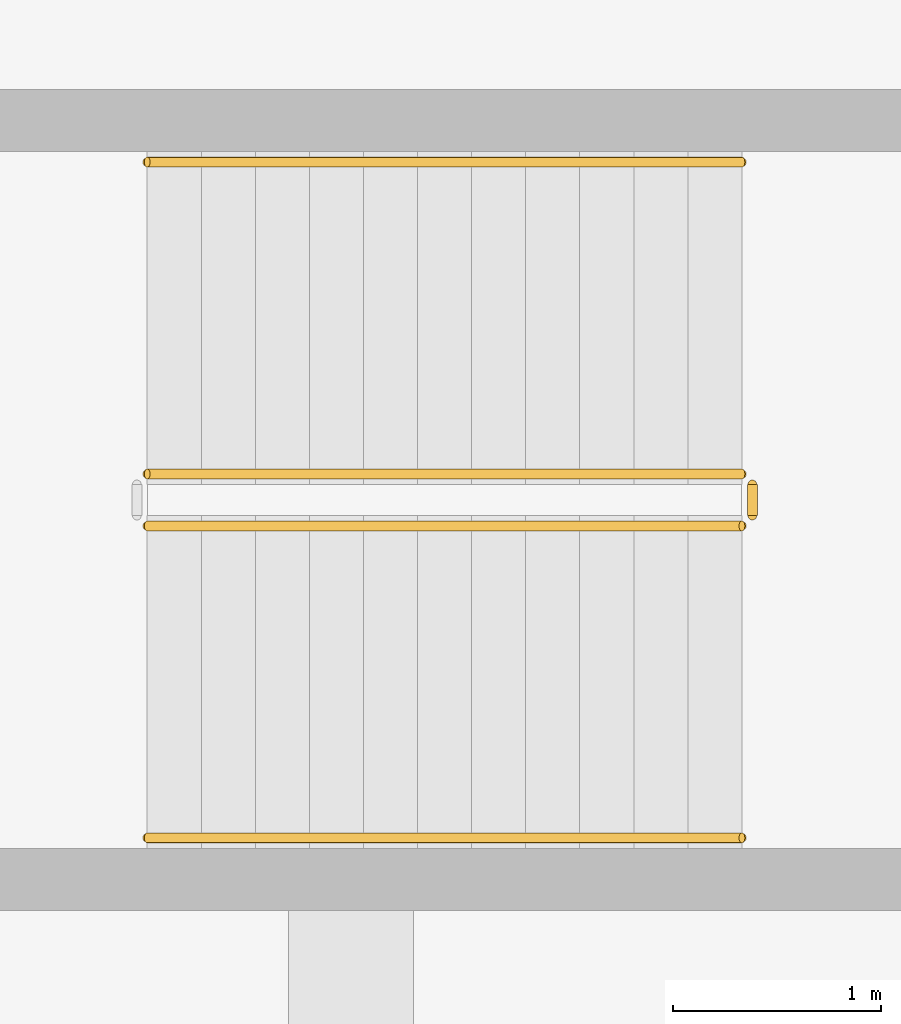
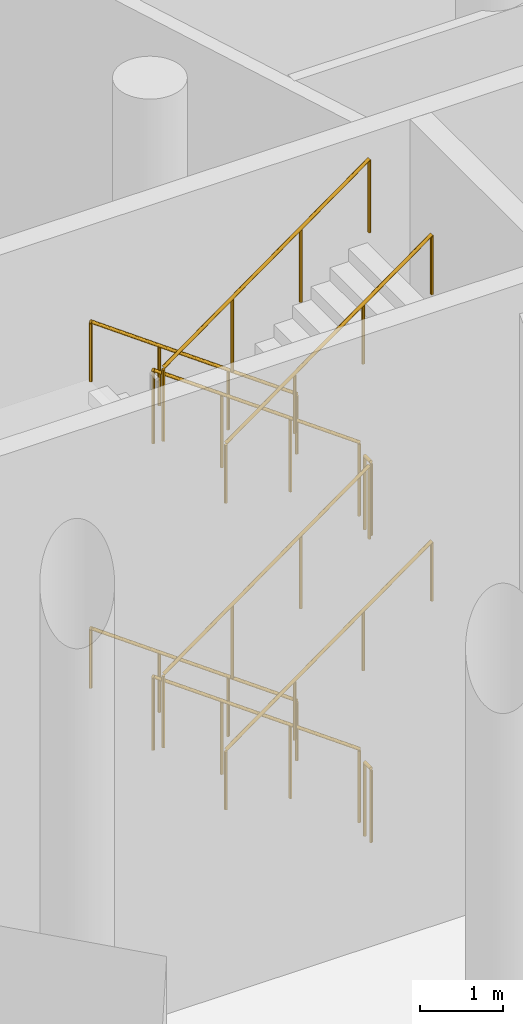
# One storey, part 22 of 25: 10 railings.
"""IFC4 building model written with IfcOpenShell, lengths in metres."""

from ifc_helpers import new_model, si_unit, direction, frame, origin, origin_2d, place, context, subcontext, project, spatial, circle, extrude, material, type_object, element, save


model = new_model("IFC4")

# Units and contexts
model_context = context("Model", 3, precision=1e-05, world=origin(), true_north=direction((0.0, 1.0)))
body_context = subcontext(model_context, "Body", "Model", "MODEL_VIEW")
ifc_project = project(units=[si_unit("LENGTHUNIT", "METRE"), si_unit("AREAUNIT", "SQUARE_METRE"), si_unit("VOLUMEUNIT", "CUBIC_METRE"), si_unit("PLANEANGLEUNIT", "RADIAN"), si_unit("MASSUNIT", "GRAM", prefix="KILO")], contexts=[model_context])

# Site, building, storey
site_placement = place(None, origin())
site = spatial("IfcSite", under=ifc_project, at=site_placement, CompositionType="ELEMENT")
building_placement = place(site_placement, origin())
building = spatial("IfcBuilding", under=site, at=building_placement, Name="White Candle Pilgrim Tower", CompositionType="ELEMENT")
storey_placement = place(building_placement, origin())
storey = spatial("IfcBuildingStorey", under=building, at=storey_placement, Name="L00", CompositionType="ELEMENT", Elevation=0.0)

# Railings
ifc_material = material(Name="Stainless steel", Category="steel")
railing_type_1 = type_object("IfcRailingType", Name="Stair guard stainless steel 1100 mm", PredefinedType="GUARDRAIL", material=ifc_material)
railing_1_placement = place(storey_placement, frame((99.699951171875, 60.10009765625, 0.1875)))
element("IfcRailing", 1, at=railing_1_placement, inside=storey, type_object=railing_type_1, Name="L00 ST9 stair guard 1", PredefinedType="GUARDRAIL", context=body_context, shape_type="SweptSolid", body=[
    extrude(circle(Radius=0.02392578125, at=origin_2d()), frame((0.0, 0.0, 1.076171875), z_axis=(-0.811077065594, 0.0, 0.584939307678), x_axis=(0.0, -1.0, 0.0)), (0.0, 0.0, 1.0), 3.526123046875),
    extrude(circle(Radius=0.02099609375, at=origin_2d()), origin(), (0.0, 0.0, 1.0), 1.052001953125),
    extrude(circle(Radius=0.02099609375, at=origin_2d()), frame((-0.953369140625, 0.0, 0.6875)), (0.0, 0.0, 1.0), 1.052001953125),
    extrude(circle(Radius=0.02099609375, at=origin_2d()), frame((-1.906494140625, 0.0, 1.375)), (0.0, 0.0, 1.0), 1.052001953125),
    extrude(circle(Radius=0.02099609375, at=origin_2d()), frame((-2.85986328125, 0.0, 2.0625)), (0.0, 0.0, 1.0), 1.052001953125),
])
railing_2_placement = place(storey_placement, frame((96.840087890625, 59.85009765625, 2.4375)))
element("IfcRailing", 2, at=railing_2_placement, inside=storey, type_object=railing_type_1, Name="L00 ST9 stair guard 3", PredefinedType="GUARDRAIL", context=body_context, shape_type="SweptSolid", body=[
    extrude(circle(Radius=0.02392578125, at=origin_2d()), frame((0.0, 0.0, 1.076171875), z_axis=(0.811077065594, 0.0, 0.584939307678), x_axis=(0.0, 1.0, 0.0)), (0.0, 0.0, 1.0), 3.526123046875),
    extrude(circle(Radius=0.02099609375, at=origin_2d()), origin(), (0.0, 0.0, 1.0), 1.052001953125),
    extrude(circle(Radius=0.02099609375, at=origin_2d()), frame((0.953369140625, 0.0, 0.6875)), (0.0, 0.0, 1.0), 1.052001953125),
    extrude(circle(Radius=0.02099609375, at=origin_2d()), frame((1.906494140625, 0.0, 1.375)), (0.0, 0.0, 1.0), 1.052001953125),
    extrude(circle(Radius=0.02099609375, at=origin_2d()), frame((2.85986328125, 0.0, 2.0625)), (0.0, 0.0, 1.0), 1.052001953125),
])
railing_3_placement = place(storey_placement, frame((99.75, 60.050048828125, 4.5)))
element("IfcRailing", 3, at=railing_3_placement, inside=storey, type_object=railing_type_1, Name="L00 ST9 stair guard 4", PredefinedType="GUARDRAIL", context=body_context, shape_type="SweptSolid", body=[
    extrude(circle(Radius=0.02392578125, at=origin_2d()), frame((0.0, 0.0, 1.076171875), z_axis=(0.0, -1.0, 0.0), x_axis=(1.0, 0.0, 0.0)), (0.0, 0.0, 1.0), 0.150146484375),
    extrude(circle(Radius=0.02099609375, at=origin_2d()), origin(), (0.0, 0.0, 1.0), 1.052001953125),
    extrude(circle(Radius=0.02099609375, at=origin_2d()), frame((0.0, -0.150146484375, 0.0)), (0.0, 0.0, 1.0), 1.052001953125),
])
railing_4_placement = place(storey_placement, frame((99.699951171875, 60.10009765625, 4.6875)))
element("IfcRailing", 4, at=railing_4_placement, inside=storey, type_object=railing_type_1, Name="L00 ST9 stair guard 5", PredefinedType="GUARDRAIL", context=body_context, shape_type="SweptSolid", body=[
    extrude(circle(Radius=0.02392578125, at=origin_2d()), frame((0.0, 0.0, 1.076171875), z_axis=(-0.811077065594, 0.0, 0.584939307678), x_axis=(0.0, -1.0, 0.0)), (0.0, 0.0, 1.0), 3.526123046875),
    extrude(circle(Radius=0.02099609375, at=origin_2d()), origin(), (0.0, 0.0, 1.0), 1.052001953125),
    extrude(circle(Radius=0.02099609375, at=origin_2d()), frame((-0.953369140625, 0.0, 0.6875)), (0.0, 0.0, 1.0), 1.052001953125),
    extrude(circle(Radius=0.02099609375, at=origin_2d()), frame((-1.906494140625, 0.0, 1.375)), (0.0, 0.0, 1.0), 1.052001953125),
    extrude(circle(Radius=0.02099609375, at=origin_2d()), frame((-2.85986328125, 0.0, 2.0625)), (0.0, 0.0, 1.0), 1.052001953125),
])
railing_5_placement = place(storey_placement, frame((96.840087890625, 59.85009765625, 6.9375)))
element("IfcRailing", 5, at=railing_5_placement, inside=storey, type_object=railing_type_1, Name="L00 ST9 stair guard 7", PredefinedType="GUARDRAIL", context=body_context, shape_type="SweptSolid", body=[
    extrude(circle(Radius=0.02392578125, at=origin_2d()), frame((0.0, 0.0, 1.076171875), z_axis=(0.811077065594, 0.0, 0.584939307678), x_axis=(0.0, 1.0, 0.0)), (0.0, 0.0, 1.0), 3.526123046875),
    extrude(circle(Radius=0.02099609375, at=origin_2d()), origin(), (0.0, 0.0, 1.0), 1.052001953125),
    extrude(circle(Radius=0.02099609375, at=origin_2d()), frame((0.953369140625, 0.0, 0.6875)), (0.0, 0.0, 1.0), 1.052001953125),
    extrude(circle(Radius=0.02099609375, at=origin_2d()), frame((1.906494140625, 0.0, 1.375)), (0.0, 0.0, 1.0), 1.052001953125),
    extrude(circle(Radius=0.02099609375, at=origin_2d()), frame((2.85986328125, 0.0, 2.0625)), (0.0, 0.0, 1.0), 1.052001953125),
])
railing_6_placement = place(storey_placement, frame((99.75, 60.050048828125, 0.0)))
element("IfcRailing", 6, at=railing_6_placement, inside=storey, type_object=railing_type_1, Name="L00 ST9 stair guard 8", PredefinedType="GUARDRAIL", context=body_context, shape_type="SweptSolid", body=[
    extrude(circle(Radius=0.02392578125, at=origin_2d()), frame((0.0, 0.0, 1.076171875), z_axis=(0.0, -1.0, 0.0), x_axis=(1.0, 0.0, 0.0)), (0.0, 0.0, 1.0), 0.150146484375),
    extrude(circle(Radius=0.02099609375, at=origin_2d()), origin(), (0.0, 0.0, 1.0), 1.052001953125),
    extrude(circle(Radius=0.02099609375, at=origin_2d()), frame((0.0, -0.150146484375, 0.0)), (0.0, 0.0, 1.0), 1.052001953125),
])
railing_type_2 = type_object("IfcRailingType", Name="Stair handrail stainless steel", PredefinedType="HANDRAIL", material=ifc_material)
railing_7_placement = place(storey_placement, frame((99.699951171875, 61.60009765625, 0.1875)))
element("IfcRailing", 7, at=railing_7_placement, inside=storey, type_object=railing_type_2, Name="L00 ST9 stair handrail 1", PredefinedType="HANDRAIL", context=body_context, shape_type="SweptSolid", body=[
    extrude(circle(Radius=0.02392578125, at=origin_2d()), frame((0.0, 0.0, 0.8759765625), z_axis=(-0.811077065594, 0.0, 0.584939307678), x_axis=(0.0, -1.0, 0.0)), (0.0, 0.0, 1.0), 3.526123046875),
    extrude(circle(Radius=0.02099609375, at=origin_2d()), origin(), (0.0, 0.0, 1.0), 0.851806640625),
    extrude(circle(Radius=0.02099609375, at=origin_2d()), frame((-0.953369140625, 0.0, 0.6875)), (0.0, 0.0, 1.0), 0.851806640625),
    extrude(circle(Radius=0.02099609375, at=origin_2d()), frame((-1.906494140625, 0.0, 1.375)), (0.0, 0.0, 1.0), 0.851806640625),
    extrude(circle(Radius=0.02099609375, at=origin_2d()), frame((-2.85986328125, 0.0, 2.0625)), (0.0, 0.0, 1.0), 0.851806640625),
])
railing_8_placement = place(storey_placement, frame((96.840087890625, 58.35009765625, 2.4375)))
element("IfcRailing", 8, at=railing_8_placement, inside=storey, type_object=railing_type_2, Name="L00 ST9 stair handrail 2", PredefinedType="HANDRAIL", context=body_context, shape_type="SweptSolid", body=[
    extrude(circle(Radius=0.02392578125, at=origin_2d()), frame((0.0, 0.0, 0.8759765625), z_axis=(0.811077065594, 0.0, 0.584939307678), x_axis=(0.0, 1.0, 0.0)), (0.0, 0.0, 1.0), 3.526123046875),
    extrude(circle(Radius=0.02099609375, at=origin_2d()), origin(), (0.0, 0.0, 1.0), 0.851806640625),
    extrude(circle(Radius=0.02099609375, at=origin_2d()), frame((0.953369140625, 0.0, 0.6875)), (0.0, 0.0, 1.0), 0.851806640625),
    extrude(circle(Radius=0.02099609375, at=origin_2d()), frame((1.906494140625, 0.0, 1.375)), (0.0, 0.0, 1.0), 0.851806640625),
    extrude(circle(Radius=0.02099609375, at=origin_2d()), frame((2.85986328125, 0.0, 2.0625)), (0.0, 0.0, 1.0), 0.851806640625),
])
railing_9_placement = place(storey_placement, frame((99.699951171875, 61.60009765625, 4.6875)))
element("IfcRailing", 9, at=railing_9_placement, inside=storey, type_object=railing_type_2, Name="L00 ST9 stair handrail 3", PredefinedType="HANDRAIL", context=body_context, shape_type="SweptSolid", body=[
    extrude(circle(Radius=0.02392578125, at=origin_2d()), frame((0.0, 0.0, 0.8759765625), z_axis=(-0.811077065594, 0.0, 0.584939307678), x_axis=(0.0, -1.0, 0.0)), (0.0, 0.0, 1.0), 3.526123046875),
    extrude(circle(Radius=0.02099609375, at=origin_2d()), origin(), (0.0, 0.0, 1.0), 0.851806640625),
    extrude(circle(Radius=0.02099609375, at=origin_2d()), frame((-0.953369140625, 0.0, 0.6875)), (0.0, 0.0, 1.0), 0.851806640625),
    extrude(circle(Radius=0.02099609375, at=origin_2d()), frame((-1.906494140625, 0.0, 1.375)), (0.0, 0.0, 1.0), 0.851806640625),
    extrude(circle(Radius=0.02099609375, at=origin_2d()), frame((-2.85986328125, 0.0, 2.0625)), (0.0, 0.0, 1.0), 0.851806640625),
])
railing_10_placement = place(storey_placement, frame((96.840087890625, 58.35009765625, 6.9375)))
element("IfcRailing", 10, at=railing_10_placement, inside=storey, type_object=railing_type_2, Name="L00 ST9 stair handrail 4", PredefinedType="HANDRAIL", context=body_context, shape_type="SweptSolid", body=[
    extrude(circle(Radius=0.02392578125, at=origin_2d()), frame((0.0, 0.0, 0.8759765625), z_axis=(0.811077065594, 0.0, 0.584939307678), x_axis=(0.0, 1.0, 0.0)), (0.0, 0.0, 1.0), 3.526123046875),
    extrude(circle(Radius=0.02099609375, at=origin_2d()), origin(), (0.0, 0.0, 1.0), 0.851806640625),
    extrude(circle(Radius=0.02099609375, at=origin_2d()), frame((0.953369140625, 0.0, 0.6875)), (0.0, 0.0, 1.0), 0.851806640625),
    extrude(circle(Radius=0.02099609375, at=origin_2d()), frame((1.906494140625, 0.0, 1.375)), (0.0, 0.0, 1.0), 0.851806640625),
    extrude(circle(Radius=0.02099609375, at=origin_2d()), frame((2.85986328125, 0.0, 2.0625)), (0.0, 0.0, 1.0), 0.851806640625),
])

save(model, "model.ifc")
